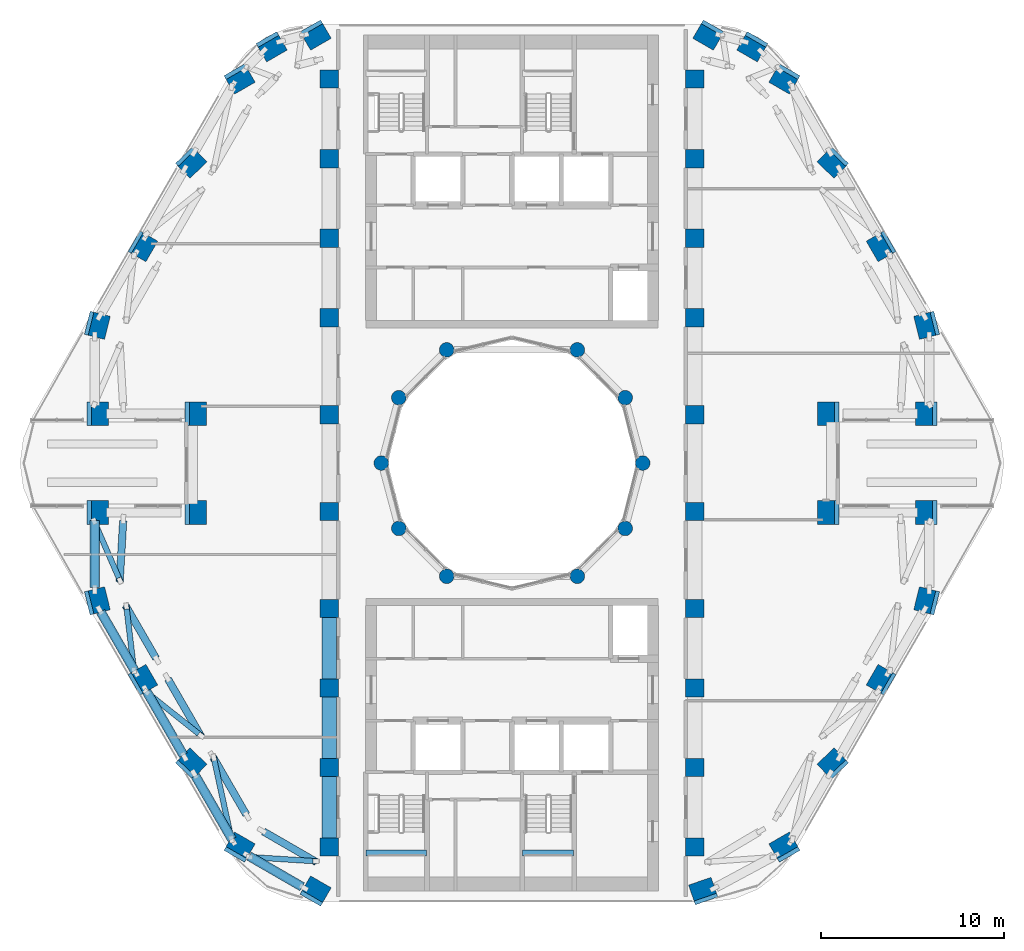
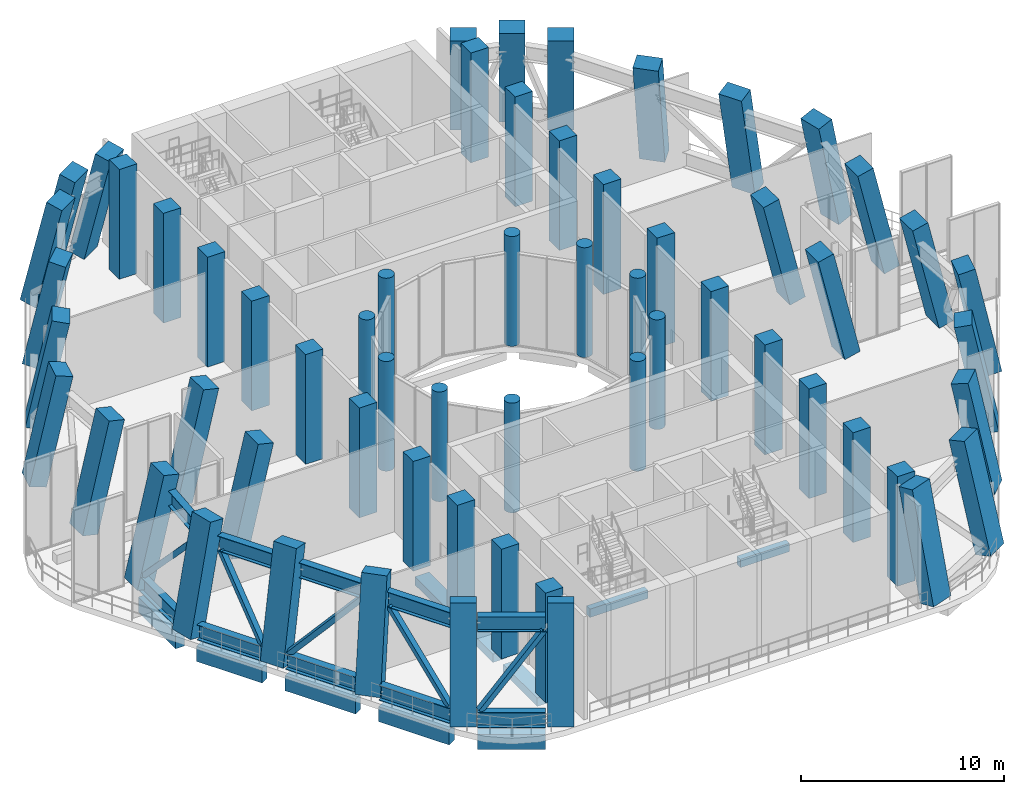
# One storey, part 1 of 19: 60 columns, 15 members, 10 beams.
"""IFC4 building model written with IfcOpenShell, lengths in metres."""

import ifcopenshell
import ifcopenshell.guid

model = None  # the IFC model being written
_history = None  # IfcOwnerHistory: only IFC2X3 demands one
_inside = {}  # id of a spatial element -> (the spatial element, [elements in it])
_under = {}  # id of a project, library or spatial element -> (it, [spatial elements below it])
_declared = {}  # id of a project -> (the project, [libraries it declares])
_typed = {}  # id of a type object -> (the type object, [elements of that type])
_made_of = {}  # id of a material, layer set ... -> (it, [elements and type objects made of it])


def new_model(schema):
    """Start an empty IFC model of exactly this schema.

    Asked for "IFC4X3", IfcOpenShell would pick the latest addendum, in which some entities
    have other attributes; the version numbers below select the first issue.
    IFC2X3 requires an IfcOwnerHistory on every rooted entity: one is made here for all.
    """
    global model, _history
    if schema == "IFC4X3":
        model = ifcopenshell.file(schema_version=(4, 3, 0, 0))
    else:
        model = ifcopenshell.file(schema=schema)
    _inside.clear()
    _under.clear()
    _declared.clear()
    _typed.clear()
    _made_of.clear()
    _history = None
    if model.schema == "IFC2X3":
        org = make("IfcOrganization", Name="unknown")
        user = make(
            "IfcPersonAndOrganization",
            ThePerson=make("IfcPerson", FamilyName="unknown"),
            TheOrganization=org,
        )
        app = make(
            "IfcApplication",
            ApplicationDeveloper=org,
            Version="unknown",
            ApplicationFullName="unknown",
            ApplicationIdentifier="unknown",
        )
        _history = make(
            "IfcOwnerHistory",
            OwningUser=user,
            OwningApplication=app,
            ChangeAction="ADDED",
            CreationDate=0,
        )
    return model


def make(cls, **values):
    """One entity of the class cls with the attributes given. An attribute that is None is left unset."""
    return model.create_entity(
        cls, **{name: value for name, value in values.items() if value is not None}
    )


def rooted(cls, **values):
    """An entity with a GlobalId (a new one), such as an element, a storey or a relation."""
    return make(cls, GlobalId=ifcopenshell.guid.new(), OwnerHistory=_history, **values)


def si_unit(unit_type, name, prefix=None):
    """IfcSIUnit, for example si_unit("LENGTHUNIT", "METRE", prefix="MILLI")."""
    return make("IfcSIUnit", UnitType=unit_type, Prefix=prefix, Name=name)


def assignment(units):
    """IfcUnitAssignment: the units of a project."""
    return None if units is None else make("IfcUnitAssignment", Units=units)


def point(xyz):
    """IfcCartesianPoint."""
    return None if xyz is None else make("IfcCartesianPoint", Coordinates=xyz)


def direction(xyz):
    """IfcDirection."""
    return None if xyz is None else make("IfcDirection", DirectionRatios=xyz)


def frame(location, z_axis=None, x_axis=None):
    """IfcAxis2Placement3D, a coordinate frame: its origin and axes. An axis left out is left unset."""
    return make(
        "IfcAxis2Placement3D",
        Location=point(location),
        Axis=direction(z_axis),
        RefDirection=direction(x_axis),
    )


def frame_2d(location, x_axis=None):
    """IfcAxis2Placement2D, a coordinate frame in the plane: its origin and x axis."""
    return make(
        "IfcAxis2Placement2D", Location=point(location), RefDirection=direction(x_axis)
    )


def origin():
    """The frame at (0, 0, 0) with its axes left unset."""
    return frame((0.0, 0.0, 0.0))


def origin_2d():
    """The frame at (0, 0) in the plane with its x axis left unset."""
    return frame_2d((0.0, 0.0))


def place(relative_to, where):
    """IfcLocalPlacement: puts the frame where relative to a parent placement (None: the world)."""
    return make(
        "IfcLocalPlacement", PlacementRelTo=relative_to, RelativePlacement=where
    )


def context(
    kind, dimensions, precision=None, world=None, true_north=None, identifier=None
):
    """IfcGeometricRepresentationContext, for example the 3D "Model" context."""
    return make(
        "IfcGeometricRepresentationContext",
        ContextIdentifier=identifier,
        ContextType=kind,
        CoordinateSpaceDimension=dimensions,
        Precision=precision,
        WorldCoordinateSystem=world,
        TrueNorth=true_north,
    )


def subcontext(parent, identifier, kind, view, scale=None):
    """IfcGeometricRepresentationSubContext, for example "Body" below "Model"."""
    return make(
        "IfcGeometricRepresentationSubContext",
        ContextIdentifier=identifier,
        ContextType=kind,
        ParentContext=parent,
        TargetScale=scale,
        TargetView=view,
    )


def project(units=None, contexts=None):
    """IfcProject with its units and contexts."""
    return rooted(
        "IfcProject",
        Name="project",
        RepresentationContexts=contexts,
        UnitsInContext=assignment(units),
    )


def spatial(cls, under=None, at=None, **own):
    """A site, building, storey or space (cls), placed at a placement, below another one or the project."""
    s = rooted(cls, ObjectPlacement=at, **own)
    if under is not None:
        _under.setdefault(under.id(), (under, []))[1].append(s)
    return s


def profile(cls, at=None, kind="AREA", **sizes):
    """A parametric profile (cls). Its sizes go by their IFC names, for example OverallWidth=200.0."""
    return make(cls, ProfileType=kind, Position=at, **sizes)


def rectangle(**sizes):
    """IfcRectangleProfileDef."""
    return profile("IfcRectangleProfileDef", **sizes)


def hollow_rectangle(**sizes):
    """IfcRectangleHollowProfileDef."""
    return profile("IfcRectangleHollowProfileDef", **sizes)


def circle(**sizes):
    """IfcCircleProfileDef."""
    return profile("IfcCircleProfileDef", **sizes)


def i_section(**sizes):
    """IfcIShapeProfileDef."""
    return profile("IfcIShapeProfileDef", **sizes)


def extrude(swept, where, along, depth):
    """IfcExtrudedAreaSolid: the profile swept, set in the frame where, extruded along a direction by depth."""
    return make(
        "IfcExtrudedAreaSolid",
        SweptArea=swept,
        Position=where,
        ExtrudedDirection=direction(along),
        Depth=depth,
    )


def shape(context_of_items, identifier, shape_type, items):
    """IfcShapeRepresentation: the items that make up one representation, for example the "Body"."""
    return make(
        "IfcShapeRepresentation",
        ContextOfItems=context_of_items,
        RepresentationIdentifier=identifier,
        RepresentationType=shape_type,
        Items=items,
    )


def material(Name=None, Category=None):
    """IfcMaterial."""
    return make("IfcMaterial", Name=Name, Category=Category)


def material_profile(
    of_material, cross_section, Name=None, Category=None, Priority=None
):
    """IfcMaterialProfile: a cross section and its material."""
    return make(
        "IfcMaterialProfile",
        Name=Name,
        Material=of_material,
        Profile=cross_section,
        Priority=Priority,
        Category=Category,
    )


def profile_set(profiles, Name=None, composite=None):
    """IfcMaterialProfileSet."""
    return make(
        "IfcMaterialProfileSet",
        Name=Name,
        MaterialProfiles=profiles,
        CompositeProfile=composite,
    )


def made_of(thing, what):
    """Note that an element or type object is made of a material, layer set ...; save() writes the relation."""
    if what is not None:
        _made_of.setdefault(what.id(), (what, []))[1].append(thing)
    return thing


def type_object(cls, material=None, **own):
    """A type object (cls), such as IfcWallType, which elements share."""
    return made_of(rooted(cls, **own), material)


def element(
    cls,
    number,
    at=None,
    inside=None,
    cuts=None,
    type_object=None,
    material=None,
    context=None,
    identifier="Body",
    shape_type=None,
    held_by="IfcProductDefinitionShape",
    body=None,
    shapes=None,
    **own,
):
    """One element of the class cls, such as IfcWall. Its Tag is "e" and its number.

    at: its placement. inside: the storey or other place that contains it. cuts: it is an
    opening in that element (IfcRelVoidsElement). A single representation is given by context,
    identifier, shape_type and body (its items); several are given by shapes. held_by: the class
    of the entity that holds the representations. save() writes the other relations.
    """
    e = rooted(cls, Tag="e%d" % number, ObjectPlacement=at, **own)
    if body is not None:
        shapes = [shape(context, identifier, shape_type, body)]
    if shapes is not None:
        e.Representation = make(held_by, Representations=shapes)
    if inside is not None:
        _inside.setdefault(inside.id(), (inside, []))[1].append(e)
    if cuts is not None:
        rooted(
            "IfcRelVoidsElement", RelatingBuildingElement=cuts, RelatedOpeningElement=e
        )
    if type_object is not None:
        _typed.setdefault(type_object.id(), (type_object, []))[1].append(e)
    return made_of(e, material)


def aggregate(whole, parts):
    """IfcRelAggregates: a whole, such as a stair, and the parts it consists of."""
    return rooted("IfcRelAggregates", RelatingObject=whole, RelatedObjects=parts)


def save(model, path):
    """Write the relations noted so far, then the file.

    IfcRelAggregates (storeys below a building ...), IfcRelContainedInSpatialStructure (elements
    in a storey), IfcRelDefinesByType, IfcRelAssociatesMaterial and IfcRelDeclares: one each for
    every whole, place, type object, material and project.
    """
    for whole, parts in _under.values():
        aggregate(whole, parts)
    for where, things in _inside.values():
        rooted(
            "IfcRelContainedInSpatialStructure",
            RelatedElements=things,
            RelatingStructure=where,
        )
    for kind, things in _typed.values():
        rooted("IfcRelDefinesByType", RelatedObjects=things, RelatingType=kind)
    for what, things in _made_of.values():
        rooted("IfcRelAssociatesMaterial", RelatedObjects=things, RelatingMaterial=what)
    for by, libraries in _declared.values():
        rooted("IfcRelDeclares", RelatingContext=by, RelatedDefinitions=libraries)
    model.write(path)


model = new_model("IFC4")

# Units and contexts
model_context = context("Model", 3, precision=1e-05, world=origin(), true_north=direction((0.0, 1.0)))
body_context = subcontext(model_context, "Body", "Model", "MODEL_VIEW")
ifc_project = project(units=[si_unit("LENGTHUNIT", "METRE"), si_unit("AREAUNIT", "SQUARE_METRE"), si_unit("VOLUMEUNIT", "CUBIC_METRE"), si_unit("PLANEANGLEUNIT", "RADIAN"), si_unit("MASSUNIT", "GRAM", prefix="KILO")], contexts=[model_context])

# Site, building, storey
site_placement = place(None, origin())
site = spatial("IfcSite", under=ifc_project, at=site_placement, CompositionType="ELEMENT")
building_placement = place(site_placement, origin())
building = spatial("IfcBuilding", under=site, at=building_placement, Name="Nakaniwa Court", CompositionType="ELEMENT")
storey_placement = place(building_placement, frame((0.0, 0.0, 170.10009765625)))
storey = spatial("IfcBuildingStorey", under=building, at=storey_placement, Name="S3", CompositionType="ELEMENT", Elevation=170.10009765625)

# Columns
ifc_material_1 = material(Name="Concrete C80/100", Category="concrete")
ifc_material_profile_1 = material_profile(ifc_material_1, rectangle(XDim=1.0, YDim=1.0, at=origin_2d()), Name="Concrete C80/100 RC 1000x1000 spine column")
ifc_profile_set_1 = profile_set([ifc_material_profile_1], Name="Concrete C80/100")
column_type_1 = type_object("IfcColumnType", Name="Concrete C80/100 RC 1000x1000 spine column", PredefinedType="COLUMN", material=ifc_profile_set_1)
for number, where, z_axis, x_axis, name in (
    (1, (90.0, 59.0, 0.0), (0.0, 0.0, 1.0), (0.0, 1.0, 0.0), "COLUMN CS-01"),
    (2, (90.0, 63.35009765625, 0.0), (0.0, 0.0, 1.0), (0.0, 1.0, 0.0), "COLUMN CS-02"),
    (3, (90.0, 67.699951171875, 0.0), (0.0, 0.0, 1.0), (0.0, 1.0, 0.0), "COLUMN CS-03"),
    (4, (90.0, 72.050048828125, 0.0), (0.0, 0.0, 1.0), (0.0, 1.0, 0.0), "COLUMN CS-04"),
    (5, (90.0, 77.35009765625, 0.0), (0.0, 0.0, 1.0), (0.0, 1.0, 0.0), "COLUMN CS-05"),
    (6, (90.0, 82.64990234375, 0.0), (0.0, 0.0, 1.0), (0.0, 1.0, 0.0), "COLUMN CS-06"),
    (7, (90.0, 87.949951171875, 0.0), (0.0, 0.0, 1.0), (0.0, 1.0, 0.0), "COLUMN CS-07"),
    (8, (90.0, 92.300048828125, 0.0), (0.0, 0.0, 1.0), (0.0, 1.0, 0.0), "COLUMN CS-08"),
    (9, (90.0, 96.64990234375, 0.0), (0.0, 0.0, 1.0), (0.0, 1.0, 0.0), "COLUMN CS-09"),
    (10, (90.0, 101.0, 0.0), (0.0, 0.0, 1.0), (0.0, 1.0, 0.0), "COLUMN CS-10"),
    (11, (70.0, 101.0, 0.0), (0.0, 0.0, 1.0), (0.0, -1.0, 0.0), "COLUMN CS-11"),
    (12, (70.0, 96.64990234375, 0.0), (0.0, 0.0, 1.0), (0.0, -1.0, 0.0), "COLUMN CS-12"),
    (13, (70.0, 92.300048828125, 0.0), (0.0, 0.0, 1.0), (0.0, -1.0, 0.0), "COLUMN CS-13"),
    (14, (70.0, 87.949951171875, 0.0), (0.0, 0.0, 1.0), (0.0, -1.0, 0.0), "COLUMN CS-14"),
    (15, (70.0, 82.64990234375, 0.0), (0.0, 0.0, 1.0), (0.0, -1.0, 0.0), "COLUMN CS-15"),
    (16, (70.0, 77.35009765625, 0.0), (0.0, 0.0, 1.0), (0.0, -1.0, 0.0), "COLUMN CS-16"),
    (17, (70.0, 72.050048828125, 0.0), (0.0, 0.0, 1.0), (0.0, -1.0, 0.0), "COLUMN CS-17"),
    (18, (70.0, 67.699951171875, 0.0), (0.0, 0.0, 1.0), (0.0, -1.0, 0.0), "COLUMN CS-18"),
    (19, (70.0, 63.35009765625, 0.0), (0.0, 0.0, 1.0), (0.0, -1.0, 0.0), "COLUMN CS-19"),
    (20, (70.0, 59.0, 0.0), (0.0, 0.0, 1.0), (0.0, -1.0, 0.0), "COLUMN CS-20"),
):
    element("IfcColumn", number, at=place(storey_placement, frame(where, z_axis=z_axis, x_axis=x_axis)), inside=storey, type_object=column_type_1, Name=name, PredefinedType="COLUMN", context=body_context, shape_type="SweptSolid", body=[
        extrude(rectangle(XDim=1.0, YDim=1.0, at=origin_2d()), origin(), (0.0, 0.0, 1.0), 6.599853515625),
    ])
ifc_material_profile_2 = material_profile(ifc_material_1, rectangle(XDim=1.300048828125, YDim=0.89990234375, at=origin_2d()), Name="Concrete C80/100 RC 1300x900 perimeter column")
ifc_profile_set_2 = profile_set([ifc_material_profile_2], Name="Concrete C80/100")
column_type_2 = type_object("IfcColumnType", Name="Concrete C80/100 RC 1300x900 perimeter column", PredefinedType="COLUMN", material=ifc_profile_set_2)
for number, where, z_axis, x_axis, name in (
    (21, (69.18798828125, 103.52783203125, 0.1083984375), (0.114947512912, -0.199073607206, 0.973219794389), (0.866002210665, 0.500040169509, 0.0), "COLUMN CO-01"),
    (22, (66.785400390625, 102.887939453125, 0.1083984375), (0.114948364637, -0.199037858068, 0.973227005648), (0.865961713116, 0.500110299252, 0.0), "COLUMN CO-02"),
    (23, (65.0302734375, 101.127197265625, 0.1083984375), (0.114948364637, -0.199037858068, 0.973227005648), (0.865961713116, 0.500110299252, 0.0), "COLUMN CO-03"),
):
    element("IfcColumn", number, at=place(storey_placement, frame(where, z_axis=z_axis, x_axis=x_axis)), inside=storey, type_object=column_type_2, Name=name, PredefinedType="COLUMN", context=body_context, shape_type="SweptSolid", body=[
        extrude(rectangle(XDim=1.300048828125, YDim=0.89990234375, at=origin_2d()), origin(), (0.0, 0.0, 1.0), 6.55859375),
    ])
column_1_placement = place(storey_placement, frame((62.369140625, 96.52197265625, 0.0986328125), z_axis=(0.144371992546, -0.150040952212, 0.978082021319), x_axis=(0.720588644159, 0.693362824146, 0.0)))
element("IfcColumn", 24, at=column_1_placement, inside=storey, type_object=column_type_2, Name="COLUMN CO-04", PredefinedType="COLUMN", context=body_context, shape_type="SweptSolid", body=[
    extrude(rectangle(XDim=1.300048828125, YDim=0.89990234375, at=origin_2d()), origin(), (0.0, 0.0, 1.0), 6.546142578125),
])
column_2_placement = place(storey_placement, frame((59.70849609375, 91.9150390625, 0.09521484375), z_axis=(0.173530207159, -0.100199700263, 0.979717963126), x_axis=(0.500044870432, 0.865999496279, 0.0)))
element("IfcColumn", 25, at=column_2_placement, inside=storey, type_object=column_type_2, Name="COLUMN CO-05", PredefinedType="COLUMN", context=body_context, shape_type="SweptSolid", body=[
    extrude(rectangle(XDim=1.300048828125, YDim=0.89990234375, at=origin_2d()), origin(), (0.0, 0.0, 1.0), 6.5419921875),
])
column_3_placement = place(storey_placement, frame((57.197509765625, 87.564697265625, 0.0986328125), z_axis=(0.20214239226, -0.050013459045, 0.978078272515), x_axis=(0.24017498307, 0.970729610915, 0.0)))
element("IfcColumn", 26, at=column_3_placement, inside=storey, type_object=column_type_2, Name="COLUMN CO-06", PredefinedType="COLUMN", context=body_context, shape_type="SweptSolid", body=[
    extrude(rectangle(XDim=1.300048828125, YDim=0.89990234375, at=origin_2d()), origin(), (0.0, 0.0, 1.0), 6.546142578125),
])
for number, where, z_axis, x_axis, name in (
    (27, (57.20263671875, 82.699951171875, 0.1083984375), (0.2298940498, 0.0, 0.973215662567), (0.0, 1.0, 0.0), "COLUMN CO-08"),
    (28, (62.567138671875, 82.699951171875, 0.1083984375), (0.2298940498, 0.0, 0.973215662567), (0.0, 1.0, 0.0), "COLUMN CO-09"),
    (29, (62.567138671875, 77.300048828125, 0.1083984375), (0.2298940498, 0.0, 0.973215662567), (0.0, 1.0, 0.0), "COLUMN CO-10"),
    (30, (57.20263671875, 77.300048828125, 0.1083984375), (0.2298940498, 0.0, 0.973215662567), (0.0, 1.0, 0.0), "COLUMN CO-11"),
):
    element("IfcColumn", number, at=place(storey_placement, frame(where, z_axis=z_axis, x_axis=x_axis)), inside=storey, type_object=column_type_2, Name=name, PredefinedType="COLUMN", context=body_context, shape_type="SweptSolid", body=[
        extrude(rectangle(XDim=1.300048828125, YDim=0.89990234375, at=origin_2d()), origin(), (0.0, 0.0, 1.0), 6.558837890625),
    ])
column_4_placement = place(storey_placement, frame((57.197509765625, 72.435302734375, 0.0986328125), z_axis=(0.20214239226, 0.050013459045, 0.978078272515), x_axis=(-0.24017498307, 0.970729610915, 0.0)))
element("IfcColumn", 31, at=column_4_placement, inside=storey, type_object=column_type_2, Name="COLUMN CO-13", PredefinedType="COLUMN", context=body_context, shape_type="SweptSolid", body=[
    extrude(rectangle(XDim=1.300048828125, YDim=0.89990234375, at=origin_2d()), origin(), (0.0, 0.0, 1.0), 6.546142578125),
])
column_5_placement = place(storey_placement, frame((59.70849609375, 68.0849609375, 0.09521484375), z_axis=(0.173530207159, 0.100199700263, 0.979717963126), x_axis=(-0.500044870432, 0.865999496279, 0.0)))
element("IfcColumn", 32, at=column_5_placement, inside=storey, type_object=column_type_2, Name="COLUMN CO-14", PredefinedType="COLUMN", context=body_context, shape_type="SweptSolid", body=[
    extrude(rectangle(XDim=1.300048828125, YDim=0.89990234375, at=origin_2d()), origin(), (0.0, 0.0, 1.0), 6.5419921875),
])
column_6_placement = place(storey_placement, frame((62.369140625, 63.47802734375, 0.0986328125), z_axis=(0.144371992546, 0.150040952212, 0.978082021319), x_axis=(-0.720588644159, 0.693362824146, 0.0)))
element("IfcColumn", 33, at=column_6_placement, inside=storey, type_object=column_type_2, Name="COLUMN CO-15", PredefinedType="COLUMN", context=body_context, shape_type="SweptSolid", body=[
    extrude(rectangle(XDim=1.300048828125, YDim=0.89990234375, at=origin_2d()), origin(), (0.0, 0.0, 1.0), 6.546142578125),
])
for number, where, z_axis, x_axis, name in (
    (34, (65.0302734375, 58.872802734375, 0.1083984375), (0.114948364637, 0.199037858068, 0.973227005648), (-0.865961713116, 0.500110299252, 0.0), "COLUMN CO-16"),
    (35, (69.18798828125, 56.47216796875, 0.1083984375), (0.114947512912, 0.199073607206, 0.973219794389), (-0.866002210665, 0.500040169509, 0.0), "COLUMN CO-17"),
):
    element("IfcColumn", number, at=place(storey_placement, frame(where, z_axis=z_axis, x_axis=x_axis)), inside=storey, type_object=column_type_2, Name=name, PredefinedType="COLUMN", context=body_context, shape_type="SweptSolid", body=[
        extrude(rectangle(XDim=1.300048828125, YDim=0.89990234375, at=origin_2d()), origin(), (0.0, 0.0, 1.0), 6.55859375),
    ])
column_7_placement = place(storey_placement, frame((90.5, 56.470458984375, 0.10009765625), z_axis=(-0.069238966339, 0.199924252832, 0.977361887261), x_axis=(-0.944935777865, -0.32725582609, 0.0)))
element("IfcColumn", 36, at=column_7_placement, inside=storey, type_object=column_type_2, Name="COLUMN CO-21", PredefinedType="COLUMN", context=body_context, shape_type="SweptSolid", body=[
    extrude(rectangle(XDim=1.300048828125, YDim=0.89990234375, at=origin_2d()), origin(), (0.0, 0.0, 1.0), 6.5478515625),
])
column_8_placement = place(storey_placement, frame((94.9697265625, 58.872802734375, 0.1083984375), z_axis=(-0.114948364637, 0.199037858068, 0.973227005648), x_axis=(-0.865961713116, -0.500110299252, 0.0)))
element("IfcColumn", 37, at=column_8_placement, inside=storey, type_object=column_type_2, Name="COLUMN CO-22", PredefinedType="COLUMN", context=body_context, shape_type="SweptSolid", body=[
    extrude(rectangle(XDim=1.300048828125, YDim=0.89990234375, at=origin_2d()), origin(), (0.0, 0.0, 1.0), 6.55859375),
])
column_9_placement = place(storey_placement, frame((97.630859375, 63.47802734375, 0.0986328125), z_axis=(-0.144371992546, 0.150040952212, 0.978082021319), x_axis=(-0.720588644159, -0.693362824146, 0.0)))
element("IfcColumn", 38, at=column_9_placement, inside=storey, type_object=column_type_2, Name="COLUMN CO-23", PredefinedType="COLUMN", context=body_context, shape_type="SweptSolid", body=[
    extrude(rectangle(XDim=1.300048828125, YDim=0.89990234375, at=origin_2d()), origin(), (0.0, 0.0, 1.0), 6.546142578125),
])
column_10_placement = place(storey_placement, frame((100.29150390625, 68.0849609375, 0.09521484375), z_axis=(-0.173530207159, 0.100199700263, 0.979717963126), x_axis=(-0.500044870432, -0.865999496279, 0.0)))
element("IfcColumn", 39, at=column_10_placement, inside=storey, type_object=column_type_2, Name="COLUMN CO-24", PredefinedType="COLUMN", context=body_context, shape_type="SweptSolid", body=[
    extrude(rectangle(XDim=1.300048828125, YDim=0.89990234375, at=origin_2d()), origin(), (0.0, 0.0, 1.0), 6.5419921875),
])
column_11_placement = place(storey_placement, frame((102.802490234375, 72.435302734375, 0.0986328125), z_axis=(-0.20214239226, 0.050013459045, 0.978078272515), x_axis=(-0.24017498307, -0.970729610915, 0.0)))
element("IfcColumn", 40, at=column_11_placement, inside=storey, type_object=column_type_2, Name="COLUMN CO-25", PredefinedType="COLUMN", context=body_context, shape_type="SweptSolid", body=[
    extrude(rectangle(XDim=1.300048828125, YDim=0.89990234375, at=origin_2d()), origin(), (0.0, 0.0, 1.0), 6.546142578125),
])
for number, where, z_axis, x_axis, name in (
    (41, (102.79736328125, 77.300048828125, 0.1083984375), (-0.2298940498, 0.0, 0.973215662567), (0.0, -1.0, 0.0), "COLUMN CO-27"),
    (42, (97.432861328125, 77.300048828125, 0.1083984375), (-0.2298940498, 0.0, 0.973215662567), (0.0, -1.0, 0.0), "COLUMN CO-28"),
    (43, (97.432861328125, 82.699951171875, 0.1083984375), (-0.2298940498, 0.0, 0.973215662567), (0.0, -1.0, 0.0), "COLUMN CO-29"),
    (44, (102.79736328125, 82.699951171875, 0.1083984375), (-0.2298940498, 0.0, 0.973215662567), (0.0, -1.0, 0.0), "COLUMN CO-30"),
):
    element("IfcColumn", number, at=place(storey_placement, frame(where, z_axis=z_axis, x_axis=x_axis)), inside=storey, type_object=column_type_2, Name=name, PredefinedType="COLUMN", context=body_context, shape_type="SweptSolid", body=[
        extrude(rectangle(XDim=1.300048828125, YDim=0.89990234375, at=origin_2d()), origin(), (0.0, 0.0, 1.0), 6.558837890625),
    ])
column_12_placement = place(storey_placement, frame((102.802490234375, 87.564697265625, 0.0986328125), z_axis=(-0.20214239226, -0.050013459045, 0.978078272515), x_axis=(0.24017498307, -0.970729610915, 0.0)))
element("IfcColumn", 45, at=column_12_placement, inside=storey, type_object=column_type_2, Name="COLUMN CO-32", PredefinedType="COLUMN", context=body_context, shape_type="SweptSolid", body=[
    extrude(rectangle(XDim=1.300048828125, YDim=0.89990234375, at=origin_2d()), origin(), (0.0, 0.0, 1.0), 6.546142578125),
])
column_13_placement = place(storey_placement, frame((100.29150390625, 91.9150390625, 0.09521484375), z_axis=(-0.173530207159, -0.100199700263, 0.979717963126), x_axis=(0.500044870432, -0.865999496279, 0.0)))
element("IfcColumn", 46, at=column_13_placement, inside=storey, type_object=column_type_2, Name="COLUMN CO-33", PredefinedType="COLUMN", context=body_context, shape_type="SweptSolid", body=[
    extrude(rectangle(XDim=1.300048828125, YDim=0.89990234375, at=origin_2d()), origin(), (0.0, 0.0, 1.0), 6.5419921875),
])
column_14_placement = place(storey_placement, frame((97.630859375, 96.52197265625, 0.0986328125), z_axis=(-0.144371992546, -0.150040952212, 0.978082021319), x_axis=(0.720588644159, -0.693362824146, 0.0)))
element("IfcColumn", 47, at=column_14_placement, inside=storey, type_object=column_type_2, Name="COLUMN CO-34", PredefinedType="COLUMN", context=body_context, shape_type="SweptSolid", body=[
    extrude(rectangle(XDim=1.300048828125, YDim=0.89990234375, at=origin_2d()), origin(), (0.0, 0.0, 1.0), 6.546142578125),
])
for number, where, z_axis, x_axis, name in (
    (48, (94.9697265625, 101.127197265625, 0.1083984375), (-0.114948364637, -0.199037858068, 0.973227005648), (0.865961713116, -0.500110299252, 0.0), "COLUMN CO-35"),
    (49, (93.214599609375, 102.887939453125, 0.1083984375), (-0.114948364637, -0.199037858068, 0.973227005648), (0.865961713116, -0.500110299252, 0.0), "COLUMN CO-36"),
    (50, (90.81201171875, 103.52783203125, 0.1083984375), (-0.114947512912, -0.199073607206, 0.973219794389), (0.866002210665, -0.500040169509, 0.0), "COLUMN CO-37"),
):
    element("IfcColumn", number, at=place(storey_placement, frame(where, z_axis=z_axis, x_axis=x_axis)), inside=storey, type_object=column_type_2, Name=name, PredefinedType="COLUMN", context=body_context, shape_type="SweptSolid", body=[
        extrude(rectangle(XDim=1.300048828125, YDim=0.89990234375, at=origin_2d()), origin(), (0.0, 0.0, 1.0), 6.55859375),
    ])
ifc_material_profile_3 = material_profile(ifc_material_1, circle(Radius=0.39990234375, at=origin_2d()), Name="Concrete C80/100 RC D800 inner ring column")
ifc_profile_set_3 = profile_set([ifc_material_profile_3], Name="Concrete C80/100")
column_type_3 = type_object("IfcColumnType", Name="Concrete C80/100 RC D800 inner ring column", PredefinedType="COLUMN", material=ifc_profile_set_3)
for number, where, z_axis, x_axis, name in (
    (51, (87.14990234375, 80.0, 0.0), (0.0, 0.0, 1.0), (0.0, 1.0, 0.0), "COLUMN CI-01"),
    (52, (86.192138671875, 83.574951171875, 0.0), (0.0, 0.0, 1.0), (-0.5, 0.866025403784, 0.0), "COLUMN CI-02"),
    (53, (83.574951171875, 86.192138671875, 0.0), (0.0, 0.0, 1.0), (-0.866025403784, 0.5, 0.0), "COLUMN CI-03"),
    (54, (76.425048828125, 86.192138671875, 0.0), (0.0, 0.0, 1.0), (-0.866025403784, -0.5, 0.0), "COLUMN CI-05"),
    (55, (73.807861328125, 83.574951171875, 0.0), (0.0, 0.0, 1.0), (-0.5, -0.866025403784, 0.0), "COLUMN CI-06"),
    (56, (72.85009765625, 80.0, 0.0), (0.0, 0.0, 1.0), (0.0, -1.0, 0.0), "COLUMN CI-07"),
    (57, (73.807861328125, 76.425048828125, 0.0), (0.0, 0.0, 1.0), (0.5, -0.866025403784, 0.0), "COLUMN CI-08"),
    (58, (76.425048828125, 73.807861328125, 0.0), (0.0, 0.0, 1.0), (0.866025403784, -0.5, 0.0), "COLUMN CI-09"),
    (59, (83.574951171875, 73.807861328125, 0.0), (0.0, 0.0, 1.0), (0.866025403784, 0.5, 0.0), "COLUMN CI-11"),
    (60, (86.192138671875, 76.425048828125, 0.0), (0.0, 0.0, 1.0), (0.5, 0.866025403784, 0.0), "COLUMN CI-12"),
):
    element("IfcColumn", number, at=place(storey_placement, frame(where, z_axis=z_axis, x_axis=x_axis)), inside=storey, type_object=column_type_3, Name=name, PredefinedType="COLUMN", context=body_context, shape_type="SweptSolid", body=[
        extrude(circle(Radius=0.39990234375, at=origin_2d()), origin(), (0.0, 0.0, 1.0), 6.599853515625),
    ])

# Members
ifc_material_2 = material(Name="Steel Grade 350", Category="steel")
ifc_material_profile_4 = material_profile(ifc_material_2, i_section(OverallWidth=0.39990234375, OverallDepth=0.916015625, WebThickness=0.011962890625, FlangeThickness=0.028076171875, at=origin_2d()), Name="900WB257")
ifc_profile_set_4 = profile_set([ifc_material_profile_4], Name="Steel Grade 350")
member_type_1 = type_object("IfcMemberType", Name="BELT chord 900 WB257", PredefinedType="CHORD", material=ifc_profile_set_4)
member_1_placement = place(storey_placement, frame((57.177001953125, 76.85009765625, 0.4580078125), z_axis=(0.0, -1.0, 0.0), x_axis=(1.0, 0.0, 0.0)))
element("IfcMember", 61, at=member_1_placement, inside=storey, type_object=member_type_1, Name="BELT CHORD BT-07-B", PredefinedType="CHORD", context=body_context, shape_type="SweptSolid", body=[
    extrude(i_section(OverallWidth=0.39990234375, OverallDepth=0.916015625, WebThickness=0.011962890625, FlangeThickness=0.028076171875, at=origin_2d()), origin(), (0.0, 0.0, 1.0), 3.669189453125),
])
member_2_placement = place(storey_placement, frame((58.736083984375, 76.85009765625, 5.1318359375), z_axis=(-0.058447577695, -0.9982904791, 0.0), x_axis=(0.9982904791, -0.058447577695, 0.0)))
element("IfcMember", 62, at=member_2_placement, inside=storey, type_object=member_type_1, Name="BELT CHORD BT-07-T", PredefinedType="CHORD", context=body_context, shape_type="SweptSolid", body=[
    extrude(i_section(OverallWidth=0.39990234375, OverallDepth=0.916015625, WebThickness=0.011962890625, FlangeThickness=0.028076171875, at=origin_2d()), origin(), (0.0, 0.0, 1.0), 3.33740234375),
])
member_3_placement = place(storey_placement, frame((57.502197265625, 71.867431640625, 0.4580078125), z_axis=(0.50001905207, -0.866014403787, 0.0), x_axis=(0.866014403787, 0.50001905207, 0.0)))
element("IfcMember", 63, at=member_3_placement, inside=storey, type_object=member_type_1, Name="BELT CHORD BT-08-B", PredefinedType="CHORD", context=body_context, shape_type="SweptSolid", body=[
    extrude(i_section(OverallWidth=0.39990234375, OverallDepth=0.916015625, WebThickness=0.011962890625, FlangeThickness=0.028076171875, at=origin_2d()), origin(), (0.0, 0.0, 1.0), 3.728759765625),
])
member_4_placement = place(storey_placement, frame((58.8662109375, 72.204833984375, 5.1318359375), z_axis=(0.499992509511, -0.866029728377, 0.0), x_axis=(0.866029728377, 0.499992509511, 0.0)))
element("IfcMember", 64, at=member_4_placement, inside=storey, type_object=member_type_1, Name="BELT CHORD BT-08-T", PredefinedType="CHORD", context=body_context, shape_type="SweptSolid", body=[
    extrude(i_section(OverallWidth=0.39990234375, OverallDepth=0.916015625, WebThickness=0.011962890625, FlangeThickness=0.028076171875, at=origin_2d()), origin(), (0.0, 0.0, 1.0), 3.3388671875),
])
member_5_placement = place(storey_placement, frame((60.0166015625, 67.512451171875, 0.4580078125), z_axis=(0.499993669216, -0.866029058833, 0.0), x_axis=(0.866029058833, 0.499993669216, 0.0)))
element("IfcMember", 65, at=member_5_placement, inside=storey, type_object=member_type_1, Name="BELT CHORD BT-09-B", PredefinedType="CHORD", context=body_context, shape_type="SweptSolid", body=[
    extrude(i_section(OverallWidth=0.39990234375, OverallDepth=0.916015625, WebThickness=0.011962890625, FlangeThickness=0.028076171875, at=origin_2d()), origin(), (0.0, 0.0, 1.0), 4.02587890625),
])
member_6_placement = place(storey_placement, frame((61.185791015625, 68.1875, 5.1318359375), z_axis=(0.499987858329, -0.866032413668, 0.0), x_axis=(0.866032413668, 0.499987858329, 0.0)))
element("IfcMember", 66, at=member_6_placement, inside=storey, type_object=member_type_1, Name="BELT CHORD BT-09-T", PredefinedType="CHORD", context=body_context, shape_type="SweptSolid", body=[
    extrude(i_section(OverallWidth=0.39990234375, OverallDepth=0.916015625, WebThickness=0.011962890625, FlangeThickness=0.028076171875, at=origin_2d()), origin(), (0.0, 0.0, 1.0), 3.63623046875),
])
member_7_placement = place(storey_placement, frame((62.679443359375, 62.89990234375, 0.4580078125), z_axis=(0.500018573463, -0.866014680125, 0.0), x_axis=(0.866014680125, 0.500018573463, 0.0)))
element("IfcMember", 67, at=member_7_placement, inside=storey, type_object=member_type_1, Name="BELT CHORD BT-10-B", PredefinedType="CHORD", context=body_context, shape_type="SweptSolid", body=[
    extrude(i_section(OverallWidth=0.39990234375, OverallDepth=0.916015625, WebThickness=0.011962890625, FlangeThickness=0.028076171875, at=origin_2d()), origin(), (0.0, 0.0, 1.0), 4.020263671875),
])
member_8_placement = place(storey_placement, frame((63.65380859375, 63.91259765625, 5.1318359375), z_axis=(0.499964992784, -0.866045614266, 0.0), x_axis=(0.866045614266, 0.499964992784, 0.0)))
element("IfcMember", 68, at=member_8_placement, inside=storey, type_object=member_type_1, Name="BELT CHORD BT-10-T", PredefinedType="CHORD", context=body_context, shape_type="SweptSolid", body=[
    extrude(i_section(OverallWidth=0.39990234375, OverallDepth=0.916015625, WebThickness=0.011962890625, FlangeThickness=0.028076171875, at=origin_2d()), origin(), (0.0, 0.0, 1.0), 3.630615234375),
])
member_9_placement = place(storey_placement, frame((65.626708984375, 58.498779296875, 0.4580078125), z_axis=(0.866021605644, -0.500006578514, 0.0), x_axis=(0.500006578514, 0.866021605644, 0.0)))
element("IfcMember", 69, at=member_9_placement, inside=storey, type_object=member_type_1, Name="BELT CHORD BT-11-B", PredefinedType="CHORD", context=body_context, shape_type="SweptSolid", body=[
    extrude(i_section(OverallWidth=0.39990234375, OverallDepth=0.916015625, WebThickness=0.011962890625, FlangeThickness=0.028076171875, at=origin_2d()), origin(), (0.0, 0.0, 1.0), 3.34716796875),
])
member_10_placement = place(storey_placement, frame((66.40625, 59.8486328125, 5.1318359375), z_axis=(0.866034955486, -0.499983455602, 0.0), x_axis=(0.499983455602, 0.866034955486, 0.0)))
element("IfcMember", 70, at=member_10_placement, inside=storey, type_object=member_type_1, Name="BELT CHORD BT-11-T", PredefinedType="CHORD", context=body_context, shape_type="SweptSolid", body=[
    extrude(i_section(OverallWidth=0.39990234375, OverallDepth=0.916015625, WebThickness=0.011962890625, FlangeThickness=0.028076171875, at=origin_2d()), origin(), (0.0, 0.0, 1.0), 3.3466796875),
])
ifc_material_profile_5 = material_profile(ifc_material_2, hollow_rectangle(XDim=0.300048828125, YDim=0.300048828125, WallThickness=0.010009765625, at=origin_2d()), Name="BELT diagonal 300x300x10 SHS")
ifc_profile_set_5 = profile_set([ifc_material_profile_5], Name="Steel Grade 350")
member_type_2 = type_object("IfcMemberType", Name="BELT diagonal 300x300x10 SHS", PredefinedType="BRACE", material=ifc_profile_set_5)
member_11_placement = place(storey_placement, frame((57.177001953125, 76.75, 0.916015625), z_axis=(0.268599510632, -0.616668323408, 0.739982757768), x_axis=(0.916807366579, 0.399329754196, 0.0)))
element("IfcMember", 71, at=member_11_placement, inside=storey, type_object=member_type_2, Name="BELT DIAGONAL BT-07-D", PredefinedType="BRACE", context=body_context, shape_type="SweptSolid", body=[
    extrude(hollow_rectangle(XDim=0.300048828125, YDim=0.300048828125, WallThickness=0.010009765625, at=origin_2d()), origin(), (0.0, 0.0, 1.0), 5.078125),
])
member_12_placement = place(storey_placement, frame((58.916015625, 72.118408203125, 4.673828125), z_axis=(0.078878138729, -0.668132924029, -0.739849062349), x_axis=(0.993103217199, 0.117243336649, 0.0)))
element("IfcMember", 72, at=member_12_placement, inside=storey, type_object=member_type_2, Name="BELT DIAGONAL BT-08-D", PredefinedType="BRACE", context=body_context, shape_type="SweptSolid", body=[
    extrude(hollow_rectangle(XDim=0.300048828125, YDim=0.300048828125, WallThickness=0.010009765625, at=origin_2d()), origin(), (0.0, 0.0, 1.0), 5.0791015625),
])
member_13_placement = place(storey_placement, frame((60.066650390625, 67.42578125, 0.916015625), z_axis=(0.548076081022, -0.436755368472, 0.713342384499), x_axis=(0.623210024771, 0.78205451538, 0.0)))
element("IfcMember", 73, at=member_13_placement, inside=storey, type_object=member_type_2, Name="BELT DIAGONAL BT-09-D", PredefinedType="BRACE", context=body_context, shape_type="SweptSolid", body=[
    extrude(hollow_rectangle(XDim=0.300048828125, YDim=0.300048828125, WallThickness=0.010009765625, at=origin_2d()), origin(), (0.0, 0.0, 1.0), 5.267822265625),
])
member_14_placement = place(storey_placement, frame((63.703857421875, 63.825927734375, 4.673828125), z_axis=(0.16127548225, -0.744694693541, -0.647626460421), x_axis=(0.977343515281, 0.2116592855, 0.0)))
element("IfcMember", 74, at=member_14_placement, inside=storey, type_object=member_type_2, Name="BELT DIAGONAL BT-10-D", PredefinedType="BRACE", context=body_context, shape_type="SweptSolid", body=[
    extrude(hollow_rectangle(XDim=0.300048828125, YDim=0.300048828125, WallThickness=0.010009765625, at=origin_2d()), origin(), (0.0, 0.0, 1.0), 5.802490234375),
])
member_15_placement = place(storey_placement, frame((65.71337890625, 58.44873046875, 0.916015625), z_axis=(0.6813986553, -0.043432934141, 0.730622647327), x_axis=(0.063611763817, 0.997974720874, 0.0)))
element("IfcMember", 75, at=member_15_placement, inside=storey, type_object=member_type_2, Name="BELT DIAGONAL BT-11-D", PredefinedType="BRACE", context=body_context, shape_type="SweptSolid", body=[
    extrude(hollow_rectangle(XDim=0.300048828125, YDim=0.300048828125, WallThickness=0.010009765625, at=origin_2d()), origin(), (0.0, 0.0, 1.0), 5.143310546875),
])

# Beams
ifc_material_profile_6 = material_profile(ifc_material_1, rectangle(XDim=0.35009765625, YDim=0.5, at=origin_2d()), Name="Concrete C80/100 RC 350x500 landing ledge beam")
ifc_profile_set_6 = profile_set([ifc_material_profile_6], Name="Concrete C80/100")
beam_type_1 = type_object("IfcBeamType", Name="Concrete C80/100 RC 350x500 landing ledge beam", PredefinedType="BEAM", material=ifc_profile_set_6)
beam_1_placement = place(storey_placement, frame((72.02490234375, 58.675048828125, 4.5), z_axis=(1.0, 0.0, 0.0), x_axis=(0.0, 1.0, 0.0)))
element("IfcBeam", 76, at=beam_1_placement, inside=storey, type_object=beam_type_1, Name="LANDING LEDGE BEAM", PredefinedType="BEAM", context=body_context, shape_type="SweptSolid", body=[
    extrude(rectangle(XDim=0.35009765625, YDim=0.5, at=origin_2d()), origin(), (0.0, 0.0, 1.0), 3.300048828125),
])
beam_2_placement = place(storey_placement, frame((80.574951171875, 58.675048828125, 4.5), z_axis=(1.0, 0.0, 0.0), x_axis=(0.0, 1.0, 0.0)))
element("IfcBeam", 77, at=beam_2_placement, inside=storey, type_object=beam_type_1, Name="LANDING LEDGE BEAM", PredefinedType="BEAM", context=body_context, shape_type="SweptSolid", body=[
    extrude(rectangle(XDim=0.35009765625, YDim=0.5, at=origin_2d()), origin(), (0.0, 0.0, 1.0), 2.800048828125),
])
ifc_material_profile_7 = material_profile(ifc_material_1, rectangle(XDim=0.5, YDim=0.89990234375, at=origin_2d()), Name="Concrete C80/100 RC 500x900 spandrel beam")
ifc_profile_set_7 = profile_set([ifc_material_profile_7], Name="Concrete C80/100")
beam_type_2 = type_object("IfcBeamType", Name="Concrete C80/100 RC 500x900 spandrel beam", PredefinedType="BEAM", material=ifc_profile_set_7)
beam_3_placement = place(storey_placement, frame((57.177001953125, 76.85009765625, -0.800048828125), z_axis=(0.0, -1.0, 0.0), x_axis=(1.0, 0.0, 0.0)))
element("IfcBeam", 78, at=beam_3_placement, inside=storey, type_object=beam_type_2, Name="SPANDREL BEAM", PredefinedType="BEAM", context=body_context, shape_type="SweptSolid", body=[
    extrude(rectangle(XDim=0.5, YDim=0.89990234375, at=origin_2d()), origin(), (0.0, 0.0, 1.0), 3.669189453125),
])
beam_4_placement = place(storey_placement, frame((57.502197265625, 71.867431640625, -0.800048828125), z_axis=(0.50001905207, -0.866014403787, 0.0), x_axis=(0.866014403787, 0.50001905207, 0.0)))
element("IfcBeam", 79, at=beam_4_placement, inside=storey, type_object=beam_type_2, Name="SPANDREL BEAM", PredefinedType="BEAM", context=body_context, shape_type="SweptSolid", body=[
    extrude(rectangle(XDim=0.5, YDim=0.89990234375, at=origin_2d()), origin(), (0.0, 0.0, 1.0), 3.728759765625),
])
beam_5_placement = place(storey_placement, frame((60.0166015625, 67.512451171875, -0.800048828125), z_axis=(0.499993669216, -0.866029058833, 0.0), x_axis=(0.866029058833, 0.499993669216, 0.0)))
element("IfcBeam", 80, at=beam_5_placement, inside=storey, type_object=beam_type_2, Name="SPANDREL BEAM", PredefinedType="BEAM", context=body_context, shape_type="SweptSolid", body=[
    extrude(rectangle(XDim=0.5, YDim=0.89990234375, at=origin_2d()), origin(), (0.0, 0.0, 1.0), 4.02587890625),
])
beam_6_placement = place(storey_placement, frame((62.679443359375, 62.89990234375, -0.800048828125), z_axis=(0.500018573463, -0.866014680125, 0.0), x_axis=(0.866014680125, 0.500018573463, 0.0)))
element("IfcBeam", 81, at=beam_6_placement, inside=storey, type_object=beam_type_2, Name="SPANDREL BEAM", PredefinedType="BEAM", context=body_context, shape_type="SweptSolid", body=[
    extrude(rectangle(XDim=0.5, YDim=0.89990234375, at=origin_2d()), origin(), (0.0, 0.0, 1.0), 4.020263671875),
])
beam_7_placement = place(storey_placement, frame((65.626708984375, 58.498779296875, -0.800048828125), z_axis=(0.866021605644, -0.500006578514, 0.0), x_axis=(0.500006578514, 0.866021605644, 0.0)))
element("IfcBeam", 82, at=beam_7_placement, inside=storey, type_object=beam_type_2, Name="SPANDREL BEAM", PredefinedType="BEAM", context=body_context, shape_type="SweptSolid", body=[
    extrude(rectangle(XDim=0.5, YDim=0.89990234375, at=origin_2d()), origin(), (0.0, 0.0, 1.0), 3.34716796875),
])
ifc_material_profile_8 = material_profile(ifc_material_1, rectangle(XDim=0.800048828125, YDim=0.5, at=origin_2d()), Name="Concrete C80/100 RC 800x500 ring beam")
ifc_profile_set_8 = profile_set([ifc_material_profile_8], Name="Concrete C80/100")
beam_type_3 = type_object("IfcBeamType", Name="Concrete C80/100 RC 800x500 ring beam", PredefinedType="BEAM", material=ifc_profile_set_8)
beam_8_placement = place(storey_placement, frame((70.0, 71.550048828125, -0.60009765625), z_axis=(0.0, -1.0, 0.0), x_axis=(1.0, 0.0, 0.0)))
element("IfcBeam", 83, at=beam_8_placement, inside=storey, type_object=beam_type_3, Name="RING BEAM", PredefinedType="BEAM", context=body_context, shape_type="SweptSolid", body=[
    extrude(rectangle(XDim=0.800048828125, YDim=0.5, at=origin_2d()), origin(), (0.0, 0.0, 1.0), 3.35009765625),
])
beam_9_placement = place(storey_placement, frame((70.0, 67.199951171875, -0.60009765625), z_axis=(0.0, -1.0, 0.0), x_axis=(1.0, 0.0, 0.0)))
element("IfcBeam", 84, at=beam_9_placement, inside=storey, type_object=beam_type_3, Name="RING BEAM", PredefinedType="BEAM", context=body_context, shape_type="SweptSolid", body=[
    extrude(rectangle(XDim=0.800048828125, YDim=0.5, at=origin_2d()), origin(), (0.0, 0.0, 1.0), 3.349853515625),
])
beam_10_placement = place(storey_placement, frame((70.0, 62.85009765625, -0.60009765625), z_axis=(0.0, -1.0, 0.0), x_axis=(1.0, 0.0, 0.0)))
element("IfcBeam", 85, at=beam_10_placement, inside=storey, type_object=beam_type_3, Name="RING BEAM", PredefinedType="BEAM", context=body_context, shape_type="SweptSolid", body=[
    extrude(rectangle(XDim=0.800048828125, YDim=0.5, at=origin_2d()), origin(), (0.0, 0.0, 1.0), 3.35009765625),
])

save(model, "model.ifc")
